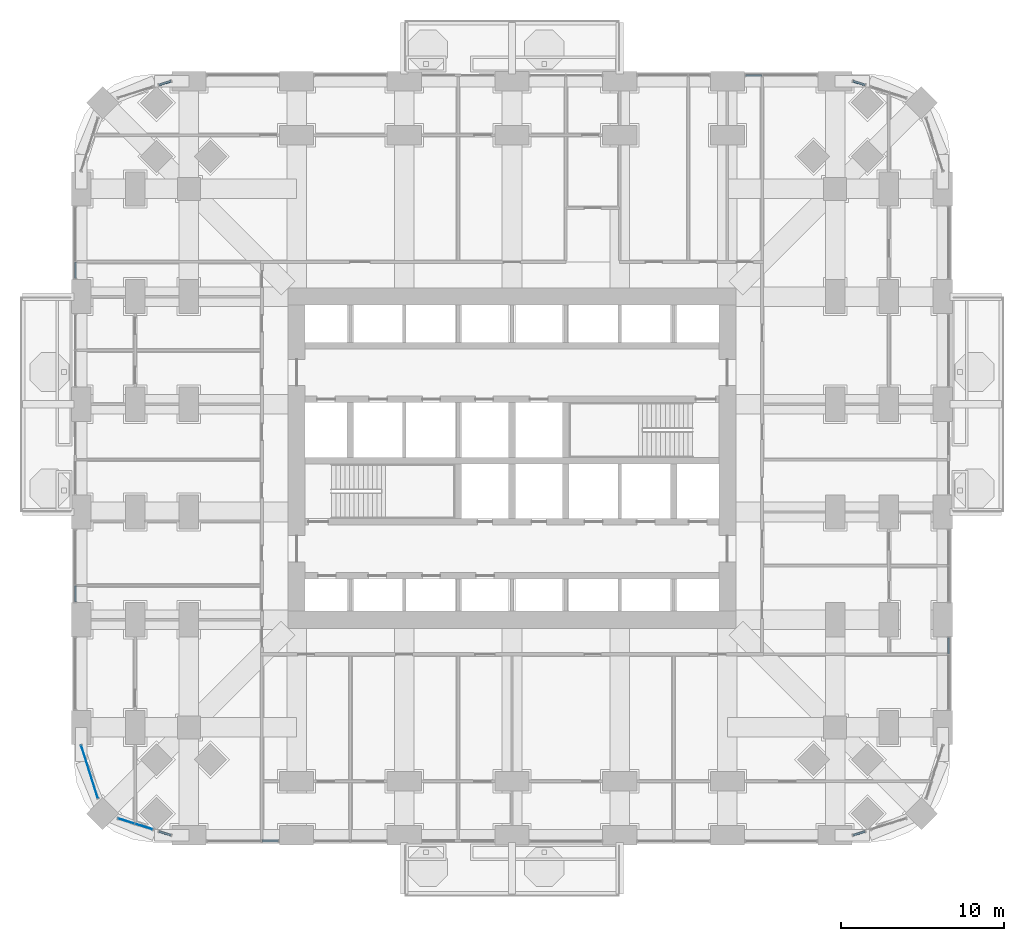
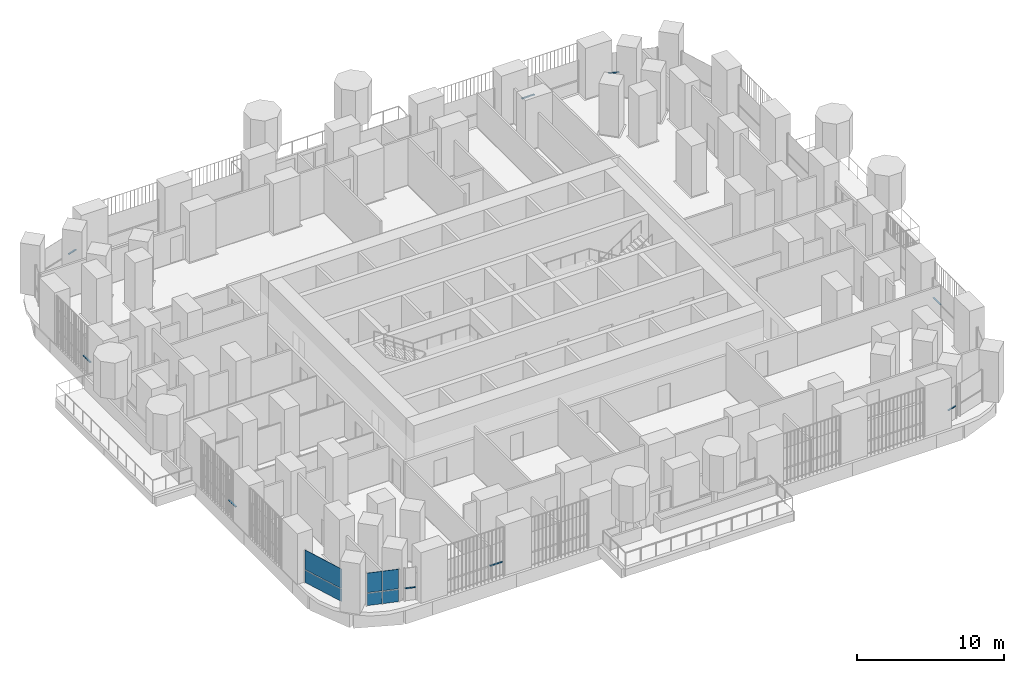
# One storey, part 10 of 26: 9 members, 6 plates, 11 elements without a shape of their own.
"""IFC4 building model written with IfcOpenShell, lengths in metres."""

from ifc_helpers import new_model, si_unit, direction, frame, origin, origin_2d, place, context, subcontext, project, spatial, rectangle, extrude, material, layer, layer_set, material_profile, profile_set, type_object, element, aggregate, save


model = new_model("IFC4")

# Units and contexts
model_context = context("Model", 3, precision=1e-05, world=origin(), true_north=direction((0.0, 1.0)))
body_context = subcontext(model_context, "Body", "Model", "MODEL_VIEW")
ifc_project = project(units=[si_unit("LENGTHUNIT", "METRE"), si_unit("AREAUNIT", "SQUARE_METRE"), si_unit("VOLUMEUNIT", "CUBIC_METRE"), si_unit("PLANEANGLEUNIT", "RADIAN"), si_unit("MASSUNIT", "GRAM", prefix="KILO")], contexts=[model_context])

# Site, building, storey
site_placement = place(None, origin())
site = spatial("IfcSite", under=ifc_project, at=site_placement, CompositionType="ELEMENT")
building_placement = place(site_placement, origin())
building = spatial("IfcBuilding", under=site, at=building_placement, Name="Cobogo Forest Laboratory Tower", CompositionType="ELEMENT")
storey_placement = place(building_placement, frame((0.0, 0.0, 33.89990234375)))
storey = spatial("IfcBuildingStorey", under=building, at=storey_placement, Name="L07", CompositionType="ELEMENT", Elevation=33.89990234375)

# Curtain wall, member
ifc_material_1 = material(Name="Aluminium curtain wall", Category="aluminium")
curtain_wall_type = type_object("IfcCurtainWallType", Name="CW-1 unitised curtain wall, clear glazing, laboratory floors zones A and B", PredefinedType="USERDEFINED", material=ifc_material_1)
curtain_wall_1_placement = place(storey_placement, origin())
curtain_wall_1 = element("IfcCurtainWall", 1, at=curtain_wall_1_placement, inside=storey, type_object=curtain_wall_type, Name="Curtain wall 01 L07", ObjectType="UNITISED CURTAIN WALL", PredefinedType="USERDEFINED")
ifc_material_2 = material(Name="Aluminium transom", Category="aluminium")
ifc_material_profile = material_profile(ifc_material_2, rectangle(XDim=0.1201171875, YDim=0.06005859375, at=origin_2d()), Name="AL 60x120")
ifc_profile_set = profile_set([ifc_material_profile], Name="Aluminium transom")
member_type = type_object("IfcMemberType", Name="TR-1 aluminium transom 60x120", PredefinedType="USERDEFINED", material=ifc_profile_set)
member_1_placement = place(storey_placement, frame((11.10498046875, -0.35009765625, 1.050048828125), z_axis=(1.0, 0.0, 0.0), x_axis=(0.0, 1.0, 0.0)))
member_1 = element("IfcMember", 2, at=member_1_placement, type_object=member_type, Name="CW-1 transom 2.1", ObjectType="TRANSOM", PredefinedType="USERDEFINED", context=body_context, shape_type="SweptSolid", body=[
    extrude(rectangle(XDim=0.1201171875, YDim=0.06005859375, at=origin_2d()), origin(), (0.0, 0.0, 1.0), 0.985107421875),
])
aggregate(curtain_wall_1, [member_1])

curtain_wall_2_placement = place(storey_placement, origin())
curtain_wall_2 = element("IfcCurtainWall", 3, at=curtain_wall_2_placement, inside=storey, type_object=curtain_wall_type, Name="Curtain wall 07 L07", ObjectType="UNITISED CURTAIN WALL", PredefinedType="USERDEFINED")
member_2_placement = place(storey_placement, frame((47.30712890625, -0.000244140625, 1.050048828125), z_axis=(0.95359247203, 0.301100311005, 0.0), x_axis=(-0.301100311005, 0.95359247203, 0.0)))
member_2 = element("IfcMember", 4, at=member_2_placement, type_object=member_type, Name="CW-1 transom 1.1", ObjectType="TRANSOM", PredefinedType="USERDEFINED", context=body_context, shape_type="SweptSolid", body=[
    extrude(rectangle(XDim=0.1201171875, YDim=0.06005859375, at=origin_2d()), origin(), (0.0, 0.0, 1.0), 0.75244140625),
])
aggregate(curtain_wall_2, [member_2])

curtain_wall_3_placement = place(storey_placement, origin())
curtain_wall_3 = element("IfcCurtainWall", 5, at=curtain_wall_3_placement, inside=storey, type_object=curtain_wall_type, Name="Curtain wall 10 L07", ObjectType="UNITISED CURTAIN WALL", PredefinedType="USERDEFINED")
member_3_placement = place(storey_placement, frame((53.14990234375, 11.10498046875, 1.050048828125), z_axis=(0.0, 1.0, 0.0), x_axis=(-1.0, 0.0, 0.0)))
member_3 = element("IfcMember", 6, at=member_3_placement, type_object=member_type, Name="CW-1 transom 2.1", ObjectType="TRANSOM", PredefinedType="USERDEFINED", context=body_context, shape_type="SweptSolid", body=[
    extrude(rectangle(XDim=0.1201171875, YDim=0.06005859375, at=origin_2d()), origin(), (0.0, 0.0, 1.0), 0.985107421875),
])
aggregate(curtain_wall_3, [member_3])

curtain_wall_4_placement = place(storey_placement, origin())
curtain_wall_4 = element("IfcCurtainWall", 7, at=curtain_wall_4_placement, inside=storey, type_object=curtain_wall_type, Name="Curtain wall 17 L07", ObjectType="UNITISED CURTAIN WALL", PredefinedType="USERDEFINED")
member_4_placement = place(storey_placement, frame((48.024658203125, 45.973876953125, 1.050048828125), z_axis=(-0.95359247203, 0.301100311005, 0.0), x_axis=(-0.301100311005, -0.95359247203, 0.0)))
member_4 = element("IfcMember", 8, at=member_4_placement, type_object=member_type, Name="CW-1 transom 1.1", ObjectType="TRANSOM", PredefinedType="USERDEFINED", context=body_context, shape_type="SweptSolid", body=[
    extrude(rectangle(XDim=0.1201171875, YDim=0.06005859375, at=origin_2d()), origin(), (0.0, 0.0, 1.0), 0.75244140625),
])
aggregate(curtain_wall_4, [member_4])

curtain_wall_5_placement = place(storey_placement, origin())
curtain_wall_5 = element("IfcCurtainWall", 9, at=curtain_wall_5_placement, inside=storey, type_object=curtain_wall_type, Name="Curtain wall 18 L07", ObjectType="UNITISED CURTAIN WALL", PredefinedType="USERDEFINED")
member_5_placement = place(storey_placement, frame((41.695068359375, 46.550048828125, 1.050048828125), z_axis=(-1.0, 0.0, 0.0), x_axis=(0.0, -1.0, 0.0)))
member_5 = element("IfcMember", 10, at=member_5_placement, type_object=member_type, Name="CW-1 transom 2.1", ObjectType="TRANSOM", PredefinedType="USERDEFINED", context=body_context, shape_type="SweptSolid", body=[
    extrude(rectangle(XDim=0.1201171875, YDim=0.06005859375, at=origin_2d()), origin(), (0.0, 0.0, 1.0), 0.985107421875),
])
aggregate(curtain_wall_5, [member_5])

curtain_wall_6_placement = place(storey_placement, origin())
curtain_wall_6 = element("IfcCurtainWall", 11, at=curtain_wall_6_placement, inside=storey, type_object=curtain_wall_type, Name="Curtain wall 24 L07", ObjectType="UNITISED CURTAIN WALL", PredefinedType="USERDEFINED")
member_6_placement = place(storey_placement, frame((5.49267578125, 46.200439453125, 1.050048828125), z_axis=(-0.953563042236, -0.301193500066, 0.0), x_axis=(0.301193500066, -0.953563042236, 0.0)))
member_6 = element("IfcMember", 12, at=member_6_placement, type_object=member_type, Name="CW-1 transom 1.1", ObjectType="TRANSOM", PredefinedType="USERDEFINED", context=body_context, shape_type="SweptSolid", body=[
    extrude(rectangle(XDim=0.1201171875, YDim=0.06005859375, at=origin_2d()), origin(), (0.0, 0.0, 1.0), 0.752197265625),
])
aggregate(curtain_wall_6, [member_6])

curtain_wall_7_placement = place(storey_placement, origin())
curtain_wall_7 = element("IfcCurtainWall", 13, at=curtain_wall_7_placement, inside=storey, type_object=curtain_wall_type, Name="Curtain wall 27 L07", ObjectType="UNITISED CURTAIN WALL", PredefinedType="USERDEFINED")
member_7_placement = place(storey_placement, frame((-0.35009765625, 35.094970703125, 1.050048828125), z_axis=(0.0, -1.0, 0.0), x_axis=(1.0, 0.0, 0.0)))
member_7 = element("IfcMember", 14, at=member_7_placement, type_object=member_type, Name="CW-1 transom 2.1", ObjectType="TRANSOM", PredefinedType="USERDEFINED", context=body_context, shape_type="SweptSolid", body=[
    extrude(rectangle(XDim=0.1201171875, YDim=0.06005859375, at=origin_2d()), origin(), (0.0, 0.0, 1.0), 0.98486328125),
])
aggregate(curtain_wall_7, [member_7])

curtain_wall_8_placement = place(storey_placement, origin())
curtain_wall_8 = element("IfcCurtainWall", 15, at=curtain_wall_8_placement, inside=storey, type_object=curtain_wall_type, Name="Curtain wall 30 L07", ObjectType="UNITISED CURTAIN WALL", PredefinedType="USERDEFINED")
member_8_placement = place(storey_placement, frame((-0.35009765625, 15.27001953125, 1.050048828125), z_axis=(0.0, -1.0, 0.0), x_axis=(1.0, 0.0, 0.0)))
member_8 = element("IfcMember", 16, at=member_8_placement, type_object=member_type, Name="CW-1 transom 2.1", ObjectType="TRANSOM", PredefinedType="USERDEFINED", context=body_context, shape_type="SweptSolid", body=[
    extrude(rectangle(XDim=0.1201171875, YDim=0.06005859375, at=origin_2d()), origin(), (0.0, 0.0, 1.0), 0.9599609375),
])
aggregate(curtain_wall_8, [member_8])

curtain_wall_9_placement = place(storey_placement, origin())
curtain_wall_9 = element("IfcCurtainWall", 17, at=curtain_wall_9_placement, inside=storey, type_object=curtain_wall_type, Name="Curtain wall 34 L07", ObjectType="UNITISED CURTAIN WALL", PredefinedType="USERDEFINED")
member_9_placement = place(storey_placement, frame((4.775390625, 0.226318359375, 1.050048828125), z_axis=(0.953563042236, -0.301193500066, 0.0), x_axis=(0.301193500066, 0.953563042236, 0.0)))
member_9 = element("IfcMember", 18, at=member_9_placement, type_object=member_type, Name="CW-1 transom 1.1", ObjectType="TRANSOM", PredefinedType="USERDEFINED", context=body_context, shape_type="SweptSolid", body=[
    extrude(rectangle(XDim=0.1201171875, YDim=0.06005859375, at=origin_2d()), origin(), (0.0, 0.0, 1.0), 0.752197265625),
])
aggregate(curtain_wall_9, [member_9])

# Curtain wall, plates
curtain_wall_10_placement = place(storey_placement, origin())
curtain_wall_10 = element("IfcCurtainWall", 19, at=curtain_wall_10_placement, inside=storey, type_object=curtain_wall_type, Name="Curtain wall 32 L07", ObjectType="UNITISED CURTAIN WALL", PredefinedType="USERDEFINED")
ifc_material_3 = material(Name="Clear insulated glass", Category="glass")
ifc_layer = layer(ifc_material_3, 0.028076171875)
ifc_layer_set = layer_set([ifc_layer], Name="GP-1 clear insulated glass unit 28")
plate_type = type_object("IfcPlateType", Name="GP-1 clear insulated glass unit 28", PredefinedType="CURTAIN_PANEL", material=ifc_layer_set)
plate_1_placement = place(storey_placement, frame((0.509033203125, 3.880126953125, 0.0), z_axis=(0.0, 0.0, 1.0), x_axis=(0.30113535792, -0.95358140513, 0.0)))
plate_1 = element("IfcPlate", 20, at=plate_1_placement, type_object=plate_type, Name="CW-1 panel 1.1", PredefinedType="CURTAIN_PANEL", context=body_context, shape_type="SweptSolid", body=[
    extrude(rectangle(XDim=3.382568359375, YDim=0.028076171875, at=origin_2d()), origin(), (0.0, 0.0, 1.0), 1.02001953125),
])
plate_2_placement = place(storey_placement, frame((0.509033203125, 3.880126953125, 1.080078125), z_axis=(0.0, 0.0, 1.0), x_axis=(0.30113535792, -0.95358140513, 0.0)))
plate_2 = element("IfcPlate", 21, at=plate_2_placement, type_object=plate_type, Name="CW-1 panel 1.2", PredefinedType="CURTAIN_PANEL", context=body_context, shape_type="SweptSolid", body=[
    extrude(rectangle(XDim=3.382568359375, YDim=0.028076171875, at=origin_2d()), origin(), (0.0, 0.0, 1.0), 1.6201171875),
])
aggregate(curtain_wall_10, [plate_1, plate_2])

curtain_wall_11_placement = place(storey_placement, origin())
curtain_wall_11 = element("IfcCurtainWall", 22, at=curtain_wall_11_placement, inside=storey, type_object=curtain_wall_type, Name="Curtain wall 33 L07", ObjectType="UNITISED CURTAIN WALL", PredefinedType="USERDEFINED")
plate_3_placement = place(storey_placement, frame((2.75732421875, 0.863525390625, 0.0), z_axis=(0.0, 0.0, 1.0), x_axis=(0.953581409645, -0.301135343623, 0.0)))
plate_3 = element("IfcPlate", 23, at=plate_3_placement, type_object=plate_type, Name="CW-1 panel 1.1", PredefinedType="CURTAIN_PANEL", context=body_context, shape_type="SweptSolid", body=[
    extrude(rectangle(XDim=1.027587890625, YDim=0.028076171875, at=origin_2d()), origin(), (0.0, 0.0, 1.0), 1.02001953125),
])
plate_4_placement = place(storey_placement, frame((2.75732421875, 0.863525390625, 1.080078125), z_axis=(0.0, 0.0, 1.0), x_axis=(0.953581409645, -0.301135343623, 0.0)))
plate_4 = element("IfcPlate", 24, at=plate_4_placement, type_object=plate_type, Name="CW-1 panel 1.2", PredefinedType="CURTAIN_PANEL", context=body_context, shape_type="SweptSolid", body=[
    extrude(rectangle(XDim=1.027587890625, YDim=0.028076171875, at=origin_2d()), origin(), (0.0, 0.0, 1.0), 1.6201171875),
])
plate_5_placement = place(storey_placement, frame((3.83642578125, 0.522705078125, 0.0), z_axis=(0.0, 0.0, 1.0), x_axis=(0.953581409645, -0.301135343623, 0.0)))
plate_5 = element("IfcPlate", 25, at=plate_5_placement, type_object=plate_type, Name="CW-1 panel 2.1", PredefinedType="CURTAIN_PANEL", context=body_context, shape_type="SweptSolid", body=[
    extrude(rectangle(XDim=1.11572265625, YDim=0.028076171875, at=origin_2d()), origin(), (0.0, 0.0, 1.0), 1.02001953125),
])
plate_6_placement = place(storey_placement, frame((3.83642578125, 0.522705078125, 1.080078125), z_axis=(0.0, 0.0, 1.0), x_axis=(0.953581409645, -0.301135343623, 0.0)))
plate_6 = element("IfcPlate", 26, at=plate_6_placement, type_object=plate_type, Name="CW-1 panel 2.2", PredefinedType="CURTAIN_PANEL", context=body_context, shape_type="SweptSolid", body=[
    extrude(rectangle(XDim=1.11572265625, YDim=0.028076171875, at=origin_2d()), origin(), (0.0, 0.0, 1.0), 1.6201171875),
])
aggregate(curtain_wall_11, [plate_3, plate_4, plate_5, plate_6])

save(model, "model.ifc")
